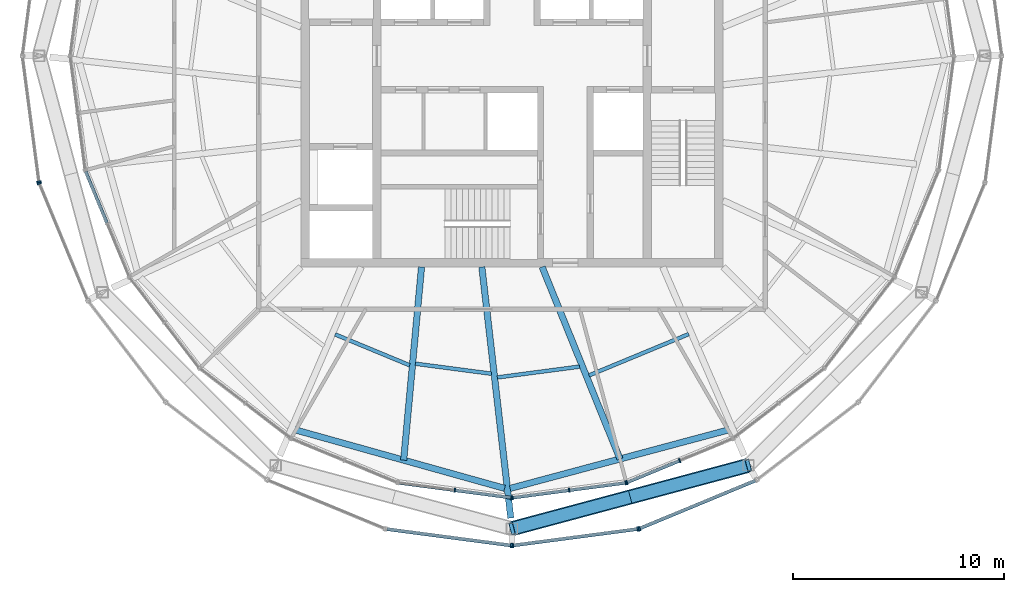
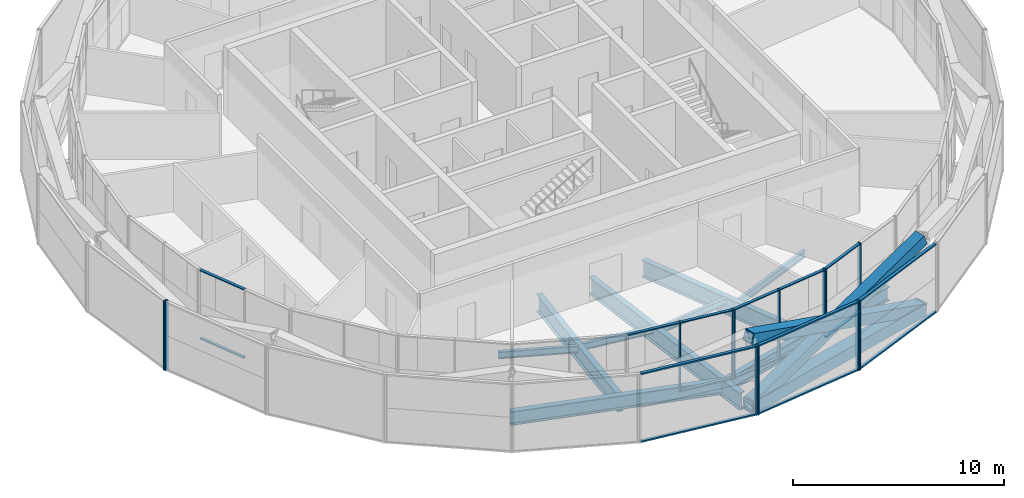
# One storey, part 3 of 17: 32 members, 10 beams, 9 elements without a shape of their own.
"""IFC4 building model written with IfcOpenShell, lengths in metres."""

from ifc_helpers import new_model, si_unit, direction, frame, origin, origin_2d, place, context, subcontext, project, spatial, rectangle, hollow_rectangle, i_section, extrude, material, material_profile, profile_set, type_object, element, aggregate, save


model = new_model("IFC4")

# Units and contexts
model_context = context("Model", 3, precision=1e-05, world=origin(), true_north=direction((0.0, 1.0)))
body_context = subcontext(model_context, "Body", "Model", "MODEL_VIEW")
ifc_project = project(units=[si_unit("LENGTHUNIT", "METRE"), si_unit("AREAUNIT", "SQUARE_METRE"), si_unit("VOLUMEUNIT", "CUBIC_METRE"), si_unit("PLANEANGLEUNIT", "RADIAN"), si_unit("MASSUNIT", "GRAM", prefix="KILO")], contexts=[model_context])

# Site, building, storey
site_placement = place(None, origin())
site = spatial("IfcSite", under=ifc_project, at=site_placement, CompositionType="ELEMENT")
building_placement = place(site_placement, origin())
building = spatial("IfcBuilding", under=site, at=building_placement, Name="Golbaran Civic Tower", CompositionType="ELEMENT")
storey_placement = place(building_placement, frame((0.0, 0.0, 280.0)))
storey = spatial("IfcBuildingStorey", under=building, at=storey_placement, Name="L68", CompositionType="ELEMENT", Elevation=280.0)

# Members
ifc_material_1 = material(Name="Steel S355", Category="steel")
ifc_material_profile_1 = material_profile(ifc_material_1, hollow_rectangle(XDim=0.60009765625, YDim=0.60009765625, WallThickness=0.050048828125, at=origin_2d()), Name="BOX 600x600x50")
ifc_profile_set_1 = profile_set([ifc_material_profile_1], Name="Steel S355")
member_type_1 = type_object("IfcMemberType", Name="CROWN FRAME LOWER BRACE BOX 600x600x50", PredefinedType="BRACE", material=ifc_profile_set_1)
for number, where, z_axis, x_axis, name in (
    (1, (0.0, -22.39990234375, -0.7099609375), (0.913119435827, 0.244666247524, 0.326115505975), (-0.258815721085, 0.965926716951, 0.0), "Crown frame lower brace 10A"),
    (2, (11.199951171875, -19.39892578125, -0.7099609375), (-0.913119435827, -0.244666247524, 0.326115505975), (0.258815721085, -0.965926716951, 0.0), "Crown frame lower brace 10B"),
):
    element("IfcMember", number, at=place(storey_placement, frame(where, z_axis=z_axis, x_axis=x_axis)), inside=storey, type_object=member_type_1, Name=name, PredefinedType="BRACE", context=body_context, shape_type="SweptSolid", body=[
        extrude(hollow_rectangle(XDim=0.60009765625, YDim=0.60009765625, WallThickness=0.050048828125, at=origin_2d()), origin(), (0.0, 0.0, 1.0), 12.265625),
    ])

# Beams
ifc_material_profile_2 = material_profile(ifc_material_1, hollow_rectangle(XDim=0.699951171875, YDim=0.699951171875, WallThickness=0.080078125, at=origin_2d()), Name="BOX 700x700x80")
ifc_profile_set_2 = profile_set([ifc_material_profile_2], Name="Steel S355")
beam_type_1 = type_object("IfcBeamType", Name="DIAGRID RING TIE BOX 700x700x80", PredefinedType="BEAM", material=ifc_profile_set_2)
beam_1_placement = place(storey_placement, frame((0.0, -22.39990234375, -0.7099609375), z_axis=(0.965926716951, 0.258815721085, 0.0), x_axis=(-0.258815721085, 0.965926716951, 0.0)))
element("IfcBeam", 3, at=beam_1_placement, inside=storey, type_object=beam_type_1, Name="Ring tie 270.00 L68", PredefinedType="BEAM", context=body_context, shape_type="SweptSolid", body=[
    extrude(hollow_rectangle(XDim=0.699951171875, YDim=0.699951171875, WallThickness=0.080078125, at=origin_2d()), origin(), (0.0, 0.0, 1.0), 11.594970703125),
])
ifc_material_profile_3 = material_profile(ifc_material_1, i_section(OverallWidth=0.300048828125, OverallDepth=0.800048828125, WebThickness=0.017578125, FlangeThickness=0.032958984375, FilletRadius=0.030029296875, at=origin_2d()), Name="HEB 800")
ifc_profile_set_3 = profile_set([ifc_material_profile_3], Name="Steel S355")
beam_type_2 = type_object("IfcBeamType", Name="EDGE BEAM HEB 800", PredefinedType="BEAM", material=ifc_profile_set_3)
beam_2_placement = place(storey_placement, frame((-10.326171875, -17.70263671875, -0.60009765625), z_axis=(0.963130557778, -0.269034437709, 0.0), x_axis=(0.269034437709, 0.963130557778, 0.0)))
element("IfcBeam", 4, at=beam_2_placement, inside=storey, type_object=beam_type_2, Name="Edge beam 240.00 L68", PredefinedType="BEAM", context=body_context, shape_type="SweptSolid", body=[
    extrude(i_section(OverallWidth=0.300048828125, OverallDepth=0.800048828125, WebThickness=0.017578125, FlangeThickness=0.032958984375, FilletRadius=0.030029296875, at=origin_2d()), origin(), (0.0, 0.0, 1.0), 10.35693359375),
])
beam_3_placement = place(storey_placement, frame((-0.0888671875, -20.49267578125, -0.60009765625), z_axis=(0.965909842094, 0.258878691562, 0.0), x_axis=(-0.258878691562, 0.965909842094, 0.0)))
element("IfcBeam", 5, at=beam_3_placement, inside=storey, type_object=beam_type_2, Name="Edge beam 270.00 L68", PredefinedType="BEAM", context=body_context, shape_type="SweptSolid", body=[
    extrude(i_section(OverallWidth=0.300048828125, OverallDepth=0.800048828125, WebThickness=0.017578125, FlangeThickness=0.032958984375, FilletRadius=0.030029296875, at=origin_2d()), origin(), (0.0, 0.0, 1.0), 10.7822265625),
])
ifc_material_profile_4 = material_profile(ifc_material_1, i_section(OverallWidth=0.179931640625, OverallDepth=0.39990234375, WebThickness=0.008544921875, FlangeThickness=0.013427734375, FilletRadius=0.02099609375, at=origin_2d()), Name="IPE 400")
ifc_profile_set_4 = profile_set([ifc_material_profile_4], Name="Steel S355")
beam_type_3 = type_object("IfcBeamType", Name="FLOOR INFILL BEAM IPE 400", PredefinedType="BEAM", material=ifc_profile_set_4)
beam_4_placement = place(storey_placement, frame((-8.380615234375, -13.195556640625, -0.39990234375), z_axis=(0.92387756648, -0.38268817875, 0.0), x_axis=(0.38268817875, 0.92387756648, 0.0)))
element("IfcBeam", 6, at=beam_4_placement, inside=storey, type_object=beam_type_3, Name="Infill beam 247.50 L68", PredefinedType="BEAM", context=body_context, shape_type="SweptSolid", body=[
    extrude(i_section(OverallWidth=0.179931640625, OverallDepth=0.39990234375, WebThickness=0.008544921875, FlangeThickness=0.013427734375, FilletRadius=0.02099609375, at=origin_2d()), origin(), (0.0, 0.0, 1.0), 3.824462890625),
])
beam_5_placement = place(storey_placement, frame((-4.5791015625, -14.584228515625, -0.39990234375), z_axis=(0.99144194185, -0.130548366293, 0.0), x_axis=(0.130548366293, 0.99144194185, 0.0)))
element("IfcBeam", 7, at=beam_5_placement, inside=storey, type_object=beam_type_3, Name="Infill beam 262.50 L68", PredefinedType="BEAM", context=body_context, shape_type="SweptSolid", body=[
    extrude(i_section(OverallWidth=0.179931640625, OverallDepth=0.39990234375, WebThickness=0.008544921875, FlangeThickness=0.013427734375, FilletRadius=0.02099609375, at=origin_2d()), origin(), (0.0, 0.0, 1.0), 3.633544921875),
])
beam_6_placement = place(storey_placement, frame((-0.694580078125, -15.235107421875, -0.39990234375), z_axis=(0.991442453905, 0.130544477456, 0.0), x_axis=(-0.130544477456, 0.991442453905, 0.0)))
element("IfcBeam", 8, at=beam_6_placement, inside=storey, type_object=beam_type_3, Name="Infill beam 277.50 L68", PredefinedType="BEAM", context=body_context, shape_type="SweptSolid", body=[
    extrude(i_section(OverallWidth=0.179931640625, OverallDepth=0.39990234375, WebThickness=0.008544921875, FlangeThickness=0.013427734375, FilletRadius=0.02099609375, at=origin_2d()), origin(), (0.0, 0.0, 1.0), 3.93115234375),
])
beam_7_placement = place(storey_placement, frame((3.65185546875, -15.137451171875, -0.39990234375), z_axis=(0.923888771461, 0.382661126806, 0.0), x_axis=(-0.382661126806, 0.923888771461, 0.0)))
element("IfcBeam", 9, at=beam_7_placement, inside=storey, type_object=beam_type_3, Name="Infill beam 292.50 L68", PredefinedType="BEAM", context=body_context, shape_type="SweptSolid", body=[
    extrude(i_section(OverallWidth=0.179931640625, OverallDepth=0.39990234375, WebThickness=0.008544921875, FlangeThickness=0.013427734375, FilletRadius=0.02099609375, at=origin_2d()), origin(), (0.0, 0.0, 1.0), 5.11181640625),
])

# Curtain wall, members
ifc_material_2 = material(Name="Aluminium and glass", Category="aluminium")
curtain_wall_type_1 = type_object("IfcCurtainWallType", Name="INNER SKIN CURTAIN WALL EXECUTIVE", PredefinedType="NOTDEFINED", material=ifc_material_2)
curtain_wall_1_placement = place(storey_placement, origin())
curtain_wall_1 = element("IfcCurtainWall", 10, at=curtain_wall_1_placement, inside=storey, type_object=curtain_wall_type_1, Name="Inner skin L68 facet 18 CW2", ObjectType="INNER SKIN", PredefinedType="USERDEFINED")
ifc_material_3 = material(Name="Aluminium", Category="aluminium")
ifc_material_profile_5 = material_profile(ifc_material_3, rectangle(XDim=0.199951171875, YDim=0.06005859375, at=origin_2d()), Name="INNER SKIN CURTAIN WALL EXECUTIVE MULLION")
ifc_profile_set_5 = profile_set([ifc_material_profile_5], Name="Aluminium")
member_type_2 = type_object("IfcMemberType", Name="INNER SKIN CURTAIN WALL EXECUTIVE MULLION", PredefinedType="MULLION", material=ifc_profile_set_5)
member_1_placement = place(storey_placement, frame((-2.70947265625, -20.580322265625, 0.0), z_axis=(0.0, 0.0, 1.0), x_axis=(0.130526192237, 0.991444861372, 0.0)))
member_1 = element("IfcMember", 11, at=member_1_placement, type_object=member_type_2, Name="CW2 mullion 2", PredefinedType="MULLION", context=body_context, shape_type="SweptSolid", body=[
    extrude(rectangle(XDim=0.199951171875, YDim=0.06005859375, at=origin_2d()), origin(), (0.0, 0.0, 1.0), 4.0),
])
member_2_placement = place(storey_placement, frame((-0.02978515625, -20.93310546875, 0.0), z_axis=(0.0, 0.0, 1.0), x_axis=(0.130526192237, 0.991444861372, 0.0)))
member_2 = element("IfcMember", 12, at=member_2_placement, type_object=member_type_2, Name="CW2 mullion 3", PredefinedType="MULLION", context=body_context, shape_type="SweptSolid", body=[
    extrude(rectangle(XDim=0.199951171875, YDim=0.06005859375, at=origin_2d()), origin(), (0.0, 0.0, 1.0), 4.0),
])

curtain_wall_2_placement = place(storey_placement, origin())
curtain_wall_2 = element("IfcCurtainWall", 13, at=curtain_wall_2_placement, inside=storey, type_object=curtain_wall_type_1, Name="Inner skin L68 facet 19 CW2", ObjectType="INNER SKIN", PredefinedType="USERDEFINED")
member_3_placement = place(storey_placement, frame((0.02978515625, -20.93310546875, 0.0), z_axis=(0.0, 0.0, 1.0), x_axis=(-0.130526192237, 0.991444861372, 0.0)))
member_3 = element("IfcMember", 14, at=member_3_placement, type_object=member_type_2, Name="CW2 mullion 1", PredefinedType="MULLION", context=body_context, shape_type="SweptSolid", body=[
    extrude(rectangle(XDim=0.199951171875, YDim=0.06005859375, at=origin_2d()), origin(), (0.0, 0.0, 1.0), 4.0),
])
member_4_placement = place(storey_placement, frame((2.70947265625, -20.580322265625, 0.0), z_axis=(0.0, 0.0, 1.0), x_axis=(-0.130526192237, 0.991444861372, 0.0)))
member_4 = element("IfcMember", 15, at=member_4_placement, type_object=member_type_2, Name="CW2 mullion 2", PredefinedType="MULLION", context=body_context, shape_type="SweptSolid", body=[
    extrude(rectangle(XDim=0.199951171875, YDim=0.06005859375, at=origin_2d()), origin(), (0.0, 0.0, 1.0), 4.0),
])
member_5_placement = place(storey_placement, frame((5.38916015625, -20.2275390625, 0.0), z_axis=(0.0, 0.0, 1.0), x_axis=(-0.130526192237, 0.991444861372, 0.0)))
member_5 = element("IfcMember", 16, at=member_5_placement, type_object=member_type_2, Name="CW2 mullion 3", PredefinedType="MULLION", context=body_context, shape_type="SweptSolid", body=[
    extrude(rectangle(XDim=0.199951171875, YDim=0.06005859375, at=origin_2d()), origin(), (0.0, 0.0, 1.0), 4.0),
])

curtain_wall_3_placement = place(storey_placement, origin())
curtain_wall_3 = element("IfcCurtainWall", 17, at=curtain_wall_3_placement, inside=storey, type_object=curtain_wall_type_1, Name="Inner skin L68 facet 20 CW2", ObjectType="INNER SKIN", PredefinedType="USERDEFINED")
member_6_placement = place(storey_placement, frame((5.446533203125, -20.212158203125, 0.0), z_axis=(0.0, 0.0, 1.0), x_axis=(-0.382683432349, 0.923879532518, 0.0)))
member_6 = element("IfcMember", 18, at=member_6_placement, type_object=member_type_2, Name="CW2 mullion 1", PredefinedType="MULLION", context=body_context, shape_type="SweptSolid", body=[
    extrude(rectangle(XDim=0.199951171875, YDim=0.06005859375, at=origin_2d()), origin(), (0.0, 0.0, 1.0), 4.0),
])
member_7_placement = place(storey_placement, frame((7.943603515625, -19.177734375, 0.0), z_axis=(0.0, 0.0, 1.0), x_axis=(-0.382683432349, 0.923879532518, 0.0)))
member_7 = element("IfcMember", 19, at=member_7_placement, type_object=member_type_2, Name="CW2 mullion 2", PredefinedType="MULLION", context=body_context, shape_type="SweptSolid", body=[
    extrude(rectangle(XDim=0.199951171875, YDim=0.06005859375, at=origin_2d()), origin(), (0.0, 0.0, 1.0), 4.0),
])

curtain_wall_4_placement = place(storey_placement, origin())
curtain_wall_4 = element("IfcCurtainWall", 20, at=curtain_wall_4_placement, inside=storey, type_object=curtain_wall_type_1, Name="Inner skin L68 facet 14 CW2", ObjectType="INNER SKIN", PredefinedType="USERDEFINED")
ifc_material_profile_6 = material_profile(ifc_material_3, rectangle(XDim=0.14990234375, YDim=0.06005859375, at=origin_2d()), Name="INNER SKIN CURTAIN WALL EXECUTIVE TRANSOM")
ifc_profile_set_6 = profile_set([ifc_material_profile_6], Name="Aluminium")
member_type_3 = type_object("IfcMemberType", Name="INNER SKIN CURTAIN WALL EXECUTIVE TRANSOM", PredefinedType="USERDEFINED", material=ifc_profile_set_6)
member_8_placement = place(storey_placement, frame((-20.20068359375, -5.474365234375, 0.030029296875), z_axis=(0.382718926922, -0.923864829386, 0.0), x_axis=(0.923864829386, 0.382718926922, 0.0)))
member_8 = element("IfcMember", 21, at=member_8_placement, type_object=member_type_3, Name="CW2 transom 1.1", ObjectType="TRANSOM", PredefinedType="USERDEFINED", context=body_context, shape_type="SweptSolid", body=[
    extrude(rectangle(XDim=0.14990234375, YDim=0.06005859375, at=origin_2d()), origin(), (0.0, 0.0, 1.0), 2.642822265625),
])
member_9_placement = place(storey_placement, frame((-20.20068359375, -5.474365234375, 3.969970703125), z_axis=(0.382718926922, -0.923864829386, 0.0), x_axis=(0.923864829386, 0.382718926922, 0.0)))
member_9 = element("IfcMember", 22, at=member_9_placement, type_object=member_type_3, Name="CW2 transom 1.2", ObjectType="TRANSOM", PredefinedType="USERDEFINED", context=body_context, shape_type="SweptSolid", body=[
    extrude(rectangle(XDim=0.14990234375, YDim=0.06005859375, at=origin_2d()), origin(), (0.0, 0.0, 1.0), 2.642822265625),
])
aggregate(curtain_wall_4, [member_8, member_9])

# Member
member_10_placement = place(storey_placement, frame((-5.359375, -20.2314453125, 3.969970703125), z_axis=(0.991443601308, -0.130535763012, 0.0), x_axis=(0.130535763012, 0.991443601308, 0.0)))
member_10 = element("IfcMember", 23, at=member_10_placement, type_object=member_type_3, Name="CW2 transom 1.2", ObjectType="TRANSOM", PredefinedType="USERDEFINED", context=body_context, shape_type="SweptSolid", body=[
    extrude(rectangle(XDim=0.14990234375, YDim=0.06005859375, at=origin_2d()), origin(), (0.0, 0.0, 1.0), 2.642822265625),
])

member_11_placement = place(storey_placement, frame((-2.6796875, -20.584228515625, 0.030029296875), z_axis=(0.991443601308, -0.130535763012, 0.0), x_axis=(0.130535763012, 0.991443601308, 0.0)))
member_11 = element("IfcMember", 24, at=member_11_placement, type_object=member_type_3, Name="CW2 transom 2.1", ObjectType="TRANSOM", PredefinedType="USERDEFINED", context=body_context, shape_type="SweptSolid", body=[
    extrude(rectangle(XDim=0.14990234375, YDim=0.06005859375, at=origin_2d()), origin(), (0.0, 0.0, 1.0), 2.642822265625),
])

member_12_placement = place(storey_placement, frame((-2.6796875, -20.584228515625, 3.969970703125), z_axis=(0.991443601308, -0.130535763012, 0.0), x_axis=(0.130535763012, 0.991443601308, 0.0)))
member_12 = element("IfcMember", 25, at=member_12_placement, type_object=member_type_3, Name="CW2 transom 2.2", ObjectType="TRANSOM", PredefinedType="USERDEFINED", context=body_context, shape_type="SweptSolid", body=[
    extrude(rectangle(XDim=0.14990234375, YDim=0.06005859375, at=origin_2d()), origin(), (0.0, 0.0, 1.0), 2.642822265625),
])

aggregate(curtain_wall_1, [member_1, member_2, member_10, member_11, member_12])

member_13_placement = place(storey_placement, frame((0.0595703125, -20.92919921875, 0.030029296875), z_axis=(0.991443601308, 0.130535763012, 0.0), x_axis=(-0.130535763012, 0.991443601308, 0.0)))
member_13 = element("IfcMember", 26, at=member_13_placement, type_object=member_type_3, Name="CW2 transom 1.1", ObjectType="TRANSOM", PredefinedType="USERDEFINED", context=body_context, shape_type="SweptSolid", body=[
    extrude(rectangle(XDim=0.14990234375, YDim=0.06005859375, at=origin_2d()), origin(), (0.0, 0.0, 1.0), 2.642822265625),
])

member_14_placement = place(storey_placement, frame((0.0595703125, -20.92919921875, 3.969970703125), z_axis=(0.991443601308, 0.130535763012, 0.0), x_axis=(-0.130535763012, 0.991443601308, 0.0)))
member_14 = element("IfcMember", 27, at=member_14_placement, type_object=member_type_3, Name="CW2 transom 1.2", ObjectType="TRANSOM", PredefinedType="USERDEFINED", context=body_context, shape_type="SweptSolid", body=[
    extrude(rectangle(XDim=0.14990234375, YDim=0.06005859375, at=origin_2d()), origin(), (0.0, 0.0, 1.0), 2.642822265625),
])

member_15_placement = place(storey_placement, frame((2.7392578125, -20.576416015625, 0.030029296875), z_axis=(0.991443601308, 0.130535763012, 0.0), x_axis=(-0.130535763012, 0.991443601308, 0.0)))
member_15 = element("IfcMember", 28, at=member_15_placement, type_object=member_type_3, Name="CW2 transom 2.1", ObjectType="TRANSOM", PredefinedType="USERDEFINED", context=body_context, shape_type="SweptSolid", body=[
    extrude(rectangle(XDim=0.14990234375, YDim=0.06005859375, at=origin_2d()), origin(), (0.0, 0.0, 1.0), 2.642822265625),
])

member_16_placement = place(storey_placement, frame((2.7392578125, -20.576416015625, 3.969970703125), z_axis=(0.991443601308, 0.130535763012, 0.0), x_axis=(-0.130535763012, 0.991443601308, 0.0)))
member_16 = element("IfcMember", 29, at=member_16_placement, type_object=member_type_3, Name="CW2 transom 2.2", ObjectType="TRANSOM", PredefinedType="USERDEFINED", context=body_context, shape_type="SweptSolid", body=[
    extrude(rectangle(XDim=0.14990234375, YDim=0.06005859375, at=origin_2d()), origin(), (0.0, 0.0, 1.0), 2.642822265625),
])

aggregate(curtain_wall_2, [member_3, member_4, member_5, member_13, member_14, member_15, member_16])

member_17_placement = place(storey_placement, frame((5.474365234375, -20.20068359375, 0.030029296875), z_axis=(0.923864829386, 0.382718926922, 0.0), x_axis=(-0.382718926922, 0.923864829386, 0.0)))
member_17 = element("IfcMember", 30, at=member_17_placement, type_object=member_type_3, Name="CW2 transom 1.1", ObjectType="TRANSOM", PredefinedType="USERDEFINED", context=body_context, shape_type="SweptSolid", body=[
    extrude(rectangle(XDim=0.14990234375, YDim=0.06005859375, at=origin_2d()), origin(), (0.0, 0.0, 1.0), 2.642822265625),
])

member_18_placement = place(storey_placement, frame((5.474365234375, -20.20068359375, 3.969970703125), z_axis=(0.923864829386, 0.382718926922, 0.0), x_axis=(-0.382718926922, 0.923864829386, 0.0)))
member_18 = element("IfcMember", 31, at=member_18_placement, type_object=member_type_3, Name="CW2 transom 1.2", ObjectType="TRANSOM", PredefinedType="USERDEFINED", context=body_context, shape_type="SweptSolid", body=[
    extrude(rectangle(XDim=0.14990234375, YDim=0.06005859375, at=origin_2d()), origin(), (0.0, 0.0, 1.0), 2.642822265625),
])

aggregate(curtain_wall_3, [member_6, member_7, member_17, member_18])

# Curtain wall, member
curtain_wall_type_2 = type_object("IfcCurtainWallType", Name="OUTER SKIN TERRACOTTA SCREEN", PredefinedType="NOTDEFINED", material=ifc_material_2)
curtain_wall_5_placement = place(storey_placement, origin())
curtain_wall_5 = element("IfcCurtainWall", 32, at=curtain_wall_5_placement, inside=storey, type_object=curtain_wall_type_2, Name="Outer skin L68 facet 13 CW3", ObjectType="OUTER SKIN", PredefinedType="USERDEFINED")
ifc_material_profile_7 = material_profile(ifc_material_3, rectangle(XDim=0.219970703125, YDim=0.080078125, at=origin_2d()), Name="OUTER SKIN TERRACOTTA SCREEN MULLION")
ifc_profile_set_7 = profile_set([ifc_material_profile_7], Name="Aluminium")
member_type_4 = type_object("IfcMemberType", Name="OUTER SKIN TERRACOTTA SCREEN MULLION", PredefinedType="MULLION", material=ifc_profile_set_7)
member_19_placement = place(storey_placement, frame((-22.414794921875, -5.96484375, -0.7099609375), z_axis=(0.0, 0.0, 1.0), x_axis=(0.991444861374, 0.13052619222, 0.0)))
member_19 = element("IfcMember", 33, at=member_19_placement, type_object=member_type_4, Name="CW3 mullion 2", PredefinedType="MULLION", context=body_context, shape_type="SweptSolid", body=[
    extrude(rectangle(XDim=0.219970703125, YDim=0.080078125, at=origin_2d()), origin(), (0.0, 0.0, 1.0), 4.0),
])
aggregate(curtain_wall_5, [member_19])

curtain_wall_6_placement = place(storey_placement, origin())
curtain_wall_6 = element("IfcCurtainWall", 34, at=curtain_wall_6_placement, inside=storey, type_object=curtain_wall_type_2, Name="Outer skin L68 facet 14 CW3", ObjectType="OUTER SKIN", PredefinedType="USERDEFINED")
member_20_placement = place(storey_placement, frame((-22.394287109375, -6.04150390625, -0.7099609375), z_axis=(0.0, 0.0, 1.0), x_axis=(0.923879532525, 0.382683432333, 0.0)))
member_20 = element("IfcMember", 35, at=member_20_placement, type_object=member_type_4, Name="CW3 mullion 1", PredefinedType="MULLION", context=body_context, shape_type="SweptSolid", body=[
    extrude(rectangle(XDim=0.219970703125, YDim=0.080078125, at=origin_2d()), origin(), (0.0, 0.0, 1.0), 4.0),
])
aggregate(curtain_wall_6, [member_20])

curtain_wall_7_placement = place(storey_placement, origin())
curtain_wall_7 = element("IfcCurtainWall", 36, at=curtain_wall_7_placement, inside=storey, type_object=curtain_wall_type_2, Name="Outer skin L68 facet 18 CW3", ObjectType="OUTER SKIN", PredefinedType="USERDEFINED")
member_21_placement = place(storey_placement, frame((-0.03955078125, -23.19482421875, -0.7099609375), z_axis=(0.0, 0.0, 1.0), x_axis=(0.13052619222, 0.991444861374, 0.0)))
member_21 = element("IfcMember", 37, at=member_21_placement, type_object=member_type_4, Name="CW3 mullion 2", PredefinedType="MULLION", context=body_context, shape_type="SweptSolid", body=[
    extrude(rectangle(XDim=0.219970703125, YDim=0.080078125, at=origin_2d()), origin(), (0.0, 0.0, 1.0), 4.0),
])

# Curtain wall, members
curtain_wall_8_placement = place(storey_placement, origin())
curtain_wall_8 = element("IfcCurtainWall", 38, at=curtain_wall_8_placement, inside=storey, type_object=curtain_wall_type_2, Name="Outer skin L68 facet 19 CW3", ObjectType="OUTER SKIN", PredefinedType="USERDEFINED")
member_22_placement = place(storey_placement, frame((0.03955078125, -23.19482421875, -0.7099609375), z_axis=(0.0, 0.0, 1.0), x_axis=(-0.13052619222, 0.991444861374, 0.0)))
member_22 = element("IfcMember", 39, at=member_22_placement, type_object=member_type_4, Name="CW3 mullion 1", PredefinedType="MULLION", context=body_context, shape_type="SweptSolid", body=[
    extrude(rectangle(XDim=0.219970703125, YDim=0.080078125, at=origin_2d()), origin(), (0.0, 0.0, 1.0), 4.0),
])
member_23_placement = place(storey_placement, frame((5.96484375, -22.414794921875, -0.7099609375), z_axis=(0.0, 0.0, 1.0), x_axis=(-0.13052619222, 0.991444861374, 0.0)))
member_23 = element("IfcMember", 40, at=member_23_placement, type_object=member_type_4, Name="CW3 mullion 2", PredefinedType="MULLION", context=body_context, shape_type="SweptSolid", body=[
    extrude(rectangle(XDim=0.219970703125, YDim=0.080078125, at=origin_2d()), origin(), (0.0, 0.0, 1.0), 4.0),
])

# Curtain wall, member
curtain_wall_9_placement = place(storey_placement, origin())
curtain_wall_9 = element("IfcCurtainWall", 41, at=curtain_wall_9_placement, inside=storey, type_object=curtain_wall_type_2, Name="Outer skin L68 facet 20 CW3", ObjectType="OUTER SKIN", PredefinedType="USERDEFINED")
member_24_placement = place(storey_placement, frame((6.04150390625, -22.394287109375, -0.7099609375), z_axis=(0.0, 0.0, 1.0), x_axis=(-0.382683432333, 0.923879532525, 0.0)))
member_24 = element("IfcMember", 42, at=member_24_placement, type_object=member_type_4, Name="CW3 mullion 1", PredefinedType="MULLION", context=body_context, shape_type="SweptSolid", body=[
    extrude(rectangle(XDim=0.219970703125, YDim=0.080078125, at=origin_2d()), origin(), (0.0, 0.0, 1.0), 4.0),
])

# Member
ifc_material_profile_8 = material_profile(ifc_material_3, rectangle(XDim=0.159912109375, YDim=0.080078125, at=origin_2d()), Name="OUTER SKIN TERRACOTTA SCREEN TRANSOM")
ifc_profile_set_8 = profile_set([ifc_material_profile_8], Name="Aluminium")
member_type_5 = type_object("IfcMemberType", Name="OUTER SKIN TERRACOTTA SCREEN TRANSOM", PredefinedType="USERDEFINED", material=ifc_profile_set_8)
member_25_placement = place(storey_placement, frame((-5.92529296875, -22.419921875, -0.669921875), z_axis=(0.991447106617, -0.130509136774, 0.0), x_axis=(0.130509136774, 0.991447106617, 0.0)))
member_25 = element("IfcMember", 43, at=member_25_placement, type_object=member_type_5, Name="CW3 transom 1.1", ObjectType="TRANSOM", PredefinedType="USERDEFINED", context=body_context, shape_type="SweptSolid", body=[
    extrude(rectangle(XDim=0.159912109375, YDim=0.080078125, at=origin_2d()), origin(), (0.0, 0.0, 1.0), 5.896484375),
])

member_26_placement = place(storey_placement, frame((-5.92529296875, -22.419921875, 3.25), z_axis=(0.991447106617, -0.130509136774, 0.0), x_axis=(0.130509136774, 0.991447106617, 0.0)))
member_26 = element("IfcMember", 44, at=member_26_placement, type_object=member_type_5, Name="CW3 transom 1.2", ObjectType="TRANSOM", PredefinedType="USERDEFINED", context=body_context, shape_type="SweptSolid", body=[
    extrude(rectangle(XDim=0.159912109375, YDim=0.080078125, at=origin_2d()), origin(), (0.0, 0.0, 1.0), 5.896484375),
])

aggregate(curtain_wall_7, [member_21, member_25, member_26])

member_27_placement = place(storey_placement, frame((0.079345703125, -23.189453125, -0.669921875), z_axis=(0.991447106617, 0.130509136774, 0.0), x_axis=(-0.130509136774, 0.991447106617, 0.0)))
member_27 = element("IfcMember", 45, at=member_27_placement, type_object=member_type_5, Name="CW3 transom 1.1", ObjectType="TRANSOM", PredefinedType="USERDEFINED", context=body_context, shape_type="SweptSolid", body=[
    extrude(rectangle(XDim=0.159912109375, YDim=0.080078125, at=origin_2d()), origin(), (0.0, 0.0, 1.0), 5.896484375),
])

member_28_placement = place(storey_placement, frame((0.079345703125, -23.189453125, 3.25), z_axis=(0.991447106617, 0.130509136774, 0.0), x_axis=(-0.130509136774, 0.991447106617, 0.0)))
member_28 = element("IfcMember", 46, at=member_28_placement, type_object=member_type_5, Name="CW3 transom 1.2", ObjectType="TRANSOM", PredefinedType="USERDEFINED", context=body_context, shape_type="SweptSolid", body=[
    extrude(rectangle(XDim=0.159912109375, YDim=0.080078125, at=origin_2d()), origin(), (0.0, 0.0, 1.0), 5.896484375),
])

aggregate(curtain_wall_8, [member_22, member_23, member_27, member_28])

member_29_placement = place(storey_placement, frame((6.07861328125, -22.37890625, -0.669921875), z_axis=(0.923869976214, 0.382706502494, 0.0), x_axis=(-0.382706502494, 0.923869976214, 0.0)))
member_29 = element("IfcMember", 47, at=member_29_placement, type_object=member_type_5, Name="CW3 transom 1.1", ObjectType="TRANSOM", PredefinedType="USERDEFINED", context=body_context, shape_type="SweptSolid", body=[
    extrude(rectangle(XDim=0.159912109375, YDim=0.080078125, at=origin_2d()), origin(), (0.0, 0.0, 1.0), 5.896484375),
])

member_30_placement = place(storey_placement, frame((6.07861328125, -22.37890625, 3.25), z_axis=(0.923869976214, 0.382706502494, 0.0), x_axis=(-0.382706502494, 0.923869976214, 0.0)))
member_30 = element("IfcMember", 48, at=member_30_placement, type_object=member_type_5, Name="CW3 transom 1.2", ObjectType="TRANSOM", PredefinedType="USERDEFINED", context=body_context, shape_type="SweptSolid", body=[
    extrude(rectangle(XDim=0.159912109375, YDim=0.080078125, at=origin_2d()), origin(), (0.0, 0.0, 1.0), 5.896484375),
])

aggregate(curtain_wall_9, [member_24, member_29, member_30])

# Beams
ifc_material_profile_9 = material_profile(ifc_material_1, i_section(OverallWidth=0.300048828125, OverallDepth=1.0, WebThickness=0.01904296875, FlangeThickness=0.035888671875, FilletRadius=0.030029296875, at=origin_2d()), Name="HEB 1000")
ifc_profile_set_9 = profile_set([ifc_material_profile_9], Name="Steel S355")
beam_type_4 = type_object("IfcBeamType", Name="RADIAL FLOOR BEAM HEB 1000", PredefinedType="BEAM", material=ifc_profile_set_9)
beam_8_placement = place(storey_placement, frame((-1.428466796875, -10.0, -0.7099609375), z_axis=(0.114446911788, -0.993429365573, 0.0), x_axis=(0.993429365573, 0.114446911788, 0.0)))
element("IfcBeam", 49, at=beam_8_placement, inside=storey, type_object=beam_type_4, Name="Radial beam 270.00 L68", PredefinedType="BEAM", context=body_context, shape_type="SweptSolid", body=[
    extrude(i_section(OverallWidth=0.300048828125, OverallDepth=1.0, WebThickness=0.01904296875, FlangeThickness=0.035888671875, FilletRadius=0.030029296875, at=origin_2d()), origin(), (0.0, 0.0, 1.0), 11.975830078125),
])
ifc_material_profile_10 = material_profile(ifc_material_1, i_section(OverallWidth=0.300048828125, OverallDepth=1.0, WebThickness=0.01904296875, FlangeThickness=0.035888671875, FilletRadius=0.030029296875, at=origin_2d()), Name="HEB 1000")
ifc_profile_set_10 = profile_set([ifc_material_profile_10], Name="Steel S355")
beam_type_5 = type_object("IfcBeamType", Name="SECONDARY FLOOR BEAM HEB 1000", PredefinedType="BEAM", material=ifc_profile_set_10)
beam_9_placement = place(storey_placement, frame((-4.28564453125, -10.0, -0.7099609375), z_axis=(-0.092077762715, -0.995751819287, 0.0), x_axis=(0.995751819287, -0.092077762715, 0.0)))
element("IfcBeam", 50, at=beam_9_placement, inside=storey, type_object=beam_type_5, Name="Secondary beam 255.00 L68", PredefinedType="BEAM", context=body_context, shape_type="SweptSolid", body=[
    extrude(i_section(OverallWidth=0.300048828125, OverallDepth=1.0, WebThickness=0.01904296875, FlangeThickness=0.035888671875, FilletRadius=0.030029296875, at=origin_2d()), origin(), (0.0, 0.0, 1.0), 9.192626953125),
])
beam_10_placement = place(storey_placement, frame((1.428466796875, -10.0, -0.7099609375), z_axis=(0.375755908463, -0.92671867212, 0.0), x_axis=(0.92671867212, 0.375755908463, 0.0)))
element("IfcBeam", 51, at=beam_10_placement, inside=storey, type_object=beam_type_5, Name="Secondary beam 285.00 L68", PredefinedType="BEAM", context=body_context, shape_type="SweptSolid", body=[
    extrude(i_section(OverallWidth=0.300048828125, OverallDepth=1.0, WebThickness=0.01904296875, FlangeThickness=0.035888671875, FilletRadius=0.030029296875, at=origin_2d()), origin(), (0.0, 0.0, 1.0), 9.81689453125),
])

save(model, "model.ifc")
